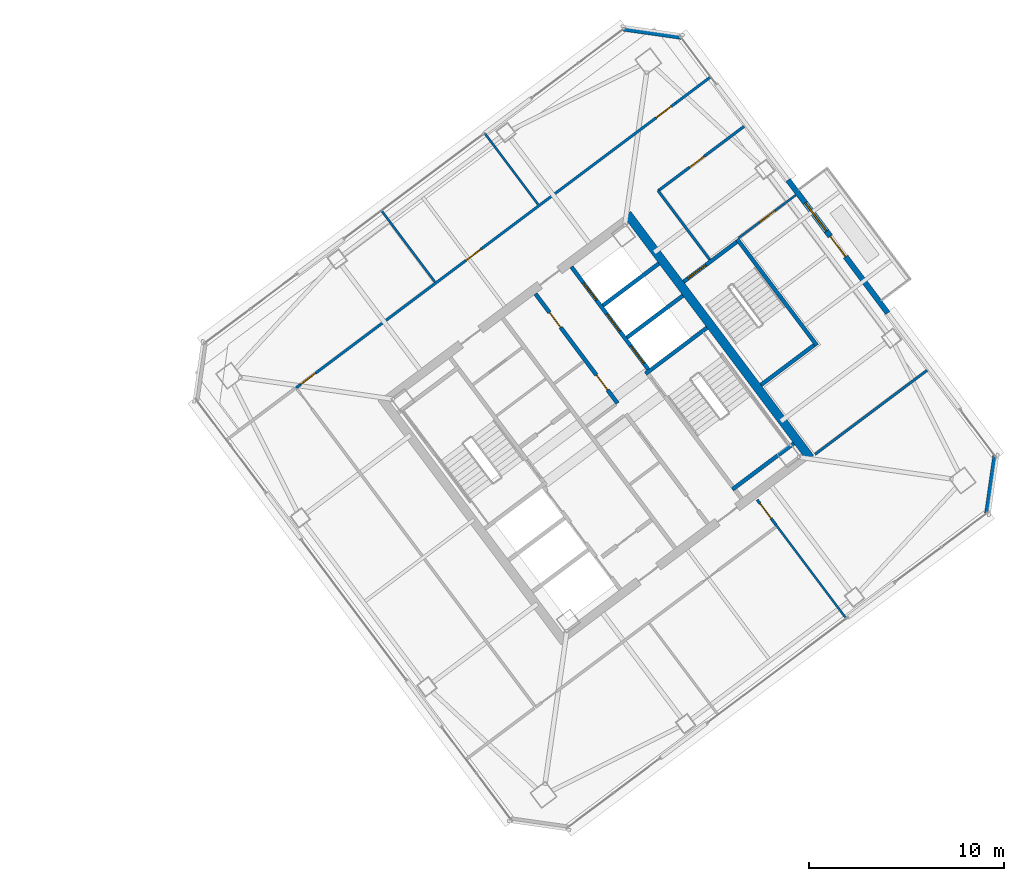
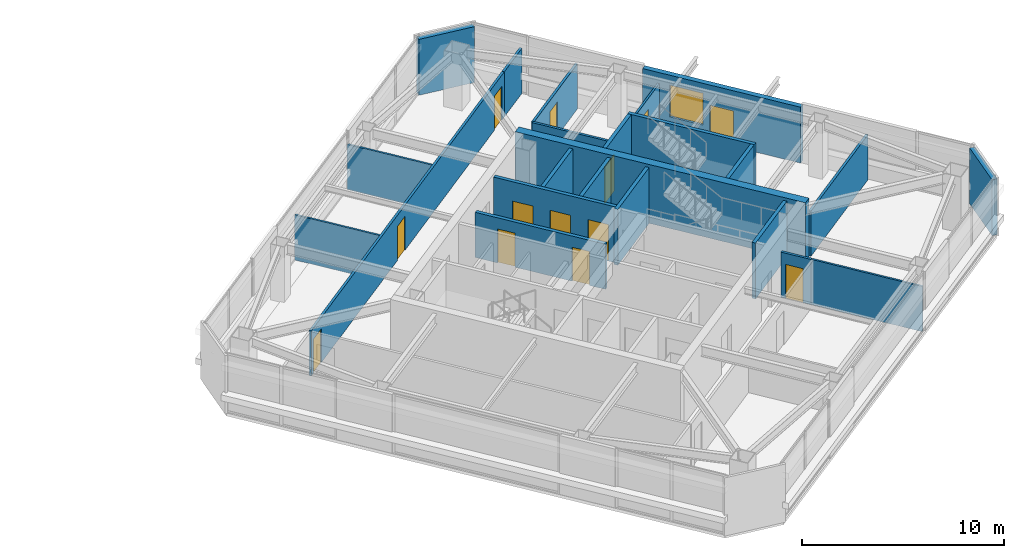
# One storey, part 32 of 39: 23 walls, 13 doors, 1 window, 14 openings.
"""IFC4 building model written with IfcOpenShell, lengths in metres."""

from ifc_helpers import new_model, si_unit, direction, frame, frame_2d, origin, place, context, subcontext, project, spatial, rectangle, extrude, material, layer, layer_set, type_object, element, fill, save


model = new_model("IFC4")

# Units and contexts
model_context = context("Model", 3, precision=1e-05, world=origin(), true_north=direction((0.0, 1.0)))
body_context = subcontext(model_context, "Body", "Model", "MODEL_VIEW")
ifc_project = project(units=[si_unit("LENGTHUNIT", "METRE"), si_unit("AREAUNIT", "SQUARE_METRE"), si_unit("VOLUMEUNIT", "CUBIC_METRE"), si_unit("PLANEANGLEUNIT", "RADIAN"), si_unit("MASSUNIT", "GRAM", prefix="KILO")], contexts=[model_context])

# Site, building, storey
site_placement = place(None, origin())
site = spatial("IfcSite", under=ifc_project, at=site_placement, CompositionType="ELEMENT")
building_placement = place(site_placement, origin())
building = spatial("IfcBuilding", under=site, at=building_placement, Name="Tashvorn Skyway Center", CompositionType="ELEMENT")
storey_placement = place(building_placement, frame((0.0, 0.0, 214.85009765625)))
storey = spatial("IfcBuildingStorey", under=building, at=storey_placement, Name="L58", CompositionType="ELEMENT", Elevation=214.85009765625)

# Wall
ifc_material_1 = material(Name="Concrete C50/60", Category="concrete")
ifc_layer_1 = layer(ifc_material_1, 0.449951171875)
ifc_layer_set_1 = layer_set([ifc_layer_1], Name="Concrete C50/60")
wall_type_1 = type_object("IfcWallType", Name="WALL-CORE-450", PredefinedType="SHEAR", material=ifc_layer_set_1)
wall_1_placement = place(storey_placement, frame((115.60400390625, 42.952880859375, 0.0), z_axis=(0.0, 0.0, 1.0), x_axis=(0.600005007985, -0.799996243986, 0.0)))
element("IfcWall", 1, at=wall_1_placement, inside=storey, type_object=wall_type_1, Name="Tower 2 L58 East Core Shear Wall", PredefinedType="SHEAR", context=body_context, shape_type="SweptSolid", body=[
    extrude(rectangle(XDim=15.60009765625, YDim=0.449951171875, at=frame_2d((7.800048828125, 0.0))), origin(), (0.0, 0.0, 1.0), 3.5498046875),
])

# Wall, openings, door, window
ifc_material_2 = material(Name="Precast concrete C40/50", Category="concrete")
ifc_layer_2 = layer(ifc_material_2, 0.280029296875)
ifc_layer_set_2 = layer_set([ifc_layer_2], Name="Precast concrete C40/50")
wall_type_2 = type_object("IfcWallType", Name="WALL-EXT-280", PredefinedType="SOLIDWALL", material=ifc_layer_set_2)
wall_2_placement = place(storey_placement, frame((123.833984375, 44.68798828125, 0.0), z_axis=(0.0, 0.0, 1.0), x_axis=(0.600004595526, -0.799996553335, 0.0)))
wall_2 = element("IfcWall", 2, at=wall_2_placement, inside=storey, type_object=wall_type_2, Name="Tower 2 L58 East Terrace Portal Wall", PredefinedType="SOLIDWALL", context=body_context, shape_type="SweptSolid", body=[
    extrude(rectangle(XDim=8.5, YDim=0.280029296875, at=frame_2d((4.25, 0.0))), origin(), (0.0, 0.0, 1.0), 3.369873046875),
])
opening_1_placement = place(wall_2_placement, frame((3.60009765625, 0.0, 0.0)))
opening_1 = element("IfcOpeningElement", 3, at=opening_1_placement, cuts=wall_2, Name="Opening D-TER-1300", PredefinedType="OPENING", context=body_context, shape_type="SweptSolid", body=[
    extrude(rectangle(XDim=1.300048828125, YDim=2.14990234375, at=frame_2d((0.64990234375, 1.074951171875))), frame((0.0, 0.14990234375, 0.0), z_axis=(0.0, -1.0, 0.0), x_axis=(1.0, 0.0, 0.0)), (0.0, 0.0, 1.0), 0.300048828125),
])
opening_2_placement = place(wall_2_placement, frame((1.4599609375, 0.0, 0.85009765625)))
opening_2 = element("IfcOpeningElement", 4, at=opening_2_placement, cuts=wall_2, Name="Opening WIN-1800", PredefinedType="OPENING", context=body_context, shape_type="SweptSolid", body=[
    extrude(rectangle(XDim=1.800048828125, YDim=1.919921875, at=frame_2d((0.89990234375, 0.9599609375))), frame((0.0, 0.14990234375, 0.0), z_axis=(0.0, -1.0, 0.0), x_axis=(1.0, 0.0, 0.0)), (0.0, 0.0, 1.0), 0.300048828125),
])
ifc_material_3 = material(Name="Thermally broken bronze-anodized aluminium 6063-T6", Category="aluminium")
door_type_1 = type_object("IfcDoorType", Name="DOOR-TERR-1300", OperationType="NOTDEFINED", PredefinedType="DOOR", material=ifc_material_3)
door_1_placement = place(opening_1_placement, origin())
door_1 = element("IfcDoor", 5, at=door_1_placement, inside=storey, type_object=door_type_1, Name="Tower 2 L58 Terrace Access Door", OperationType="SINGLE_SWING_LEFT", OverallHeight=2.14990234375, OverallWidth=1.300048828125, PredefinedType="DOOR", context=body_context, shape_type="SweptSolid", body=[
    extrude(rectangle(XDim=1.300048828125, YDim=2.14990234375, at=frame_2d((0.64990234375, 1.074951171875))), frame((0.0, 0.02490234375, 0.0), z_axis=(0.0, -1.0, 0.0), x_axis=(1.0, 0.0, 0.0)), (0.0, 0.0, 1.0), 0.050048828125),
])
fill(opening_1, door_1)
ifc_material_4 = material(Name="Low-E solar-control double insulating safety glass", Category="glass")
window_type = type_object("IfcWindowType", Name="WIN-TERR-1800", PartitioningType="SINGLE_PANEL", PredefinedType="WINDOW", material=ifc_material_4)
window_placement = place(opening_2_placement, origin())
window = element("IfcWindow", 6, at=window_placement, inside=storey, type_object=window_type, Name="Tower 2 L58 Terrace Window", OverallHeight=1.919921875, OverallWidth=1.800048828125, PartitioningType="SINGLE_PANEL", PredefinedType="WINDOW", context=body_context, shape_type="SweptSolid", body=[
    extrude(rectangle(XDim=1.800048828125, YDim=1.919921875, at=frame_2d((0.89990234375, 0.9599609375))), frame((0.0, 0.030029296875, 0.0), z_axis=(0.0, -1.0, 0.0), x_axis=(1.0, 0.0, 0.0)), (0.0, 0.0, 1.0), 0.06005859375),
])
fill(opening_2, window)

# Walls
for number, where, z_axis, x_axis, name in (
    (7, (115.419921875, 52.43994140625, 0.0), (0.0, 0.0, 1.0), (0.989954425158, -0.14138683146, 0.0), "Tower 2 L58 NE Precast Chamfer Wall"),
    (8, (134.43994140625, 30.580078125, 0.0), (0.0, 0.0, 1.0), (-0.14138683146, -0.989954425158, 0.0), "Tower 2 L58 SE Precast Chamfer Wall"),
):
    element("IfcWall", number, at=place(storey_placement, frame(where, z_axis=z_axis, x_axis=x_axis)), inside=storey, type_object=wall_type_2, Name=name, PredefinedType="SOLIDWALL", context=body_context, shape_type="SweptSolid", body=[
        extrude(rectangle(XDim=2.969970703125, YDim=0.280029296875, at=frame_2d((1.48486328125, 0.0))), origin(), (0.0, 0.0, 1.0), 3.369873046875),
    ])
ifc_material_5 = material(Name="Gypsum board on cold-formed steel stud framing", Category="steel")
ifc_layer_3 = layer(ifc_material_5, 0.110107421875)
ifc_layer_set_3 = layer_set([ifc_layer_3], Name="Gypsum board on cold-formed steel stud framing")
wall_type_3 = type_object("IfcWallType", Name="WALL-PART-110", PredefinedType="PARTITIONING", material=ifc_layer_set_3)
wall_3_placement = place(storey_placement, frame((105.761962890625, 39.48388671875, 0.0), z_axis=(0.0, 0.0, 1.0), x_axis=(-0.599982829901, 0.800012877287, 0.0)))
element("IfcWall", 9, at=wall_3_placement, inside=storey, type_object=wall_type_3, Name="Tower 2 L58 North Suite Partition 1", PredefinedType="PARTITIONING", context=body_context, shape_type="SweptSolid", body=[
    extrude(rectangle(XDim=4.550048828125, YDim=0.110107421875, at=frame_2d((2.27490234375, 0.0))), origin(), (0.0, 0.0, 1.0), 2.722900390625),
])
wall_4_placement = place(storey_placement, frame((111.0419921875, 43.444091796875, 0.0), z_axis=(0.0, 0.0, 1.0), x_axis=(-0.600008585315, 0.799993560942, 0.0)))
element("IfcWall", 10, at=wall_4_placement, inside=storey, type_object=wall_type_3, Name="Tower 2 L58 North Suite Partition 2", PredefinedType="PARTITIONING", context=body_context, shape_type="SweptSolid", body=[
    extrude(rectangle(XDim=4.5498046875, YDim=0.110107421875, at=frame_2d((2.27490234375, 0.0))), origin(), (0.0, 0.0, 1.0), 2.722900390625),
])
wall_5_placement = place(storey_placement, frame((126.80810546875, 22.256103515625, 0.0), z_axis=(0.0, 0.0, 1.0), x_axis=(-0.6, 0.8, 0.0)))
element("IfcWall", 11, at=wall_5_placement, inside=storey, type_object=wall_type_3, Name="Tower 2 L58 South-East Suite Wall", PredefinedType="PARTITIONING", context=body_context, shape_type="SweptSolid", body=[
    extrude(rectangle(XDim=5.989990234375, YDim=0.110107421875, at=frame_2d((2.9951171875, 0.0))), origin(), (0.0, 0.0, 1.0), 2.722900390625),
])

# Wall, opening, door
wall_6_placement = place(storey_placement, frame((124.22412109375, 43.91796875, 0.0), z_axis=(0.0, 0.0, 1.0), x_axis=(-0.800024078335, -0.599967894211, 0.0)))
wall_6 = element("IfcWall", 12, at=wall_6_placement, inside=storey, type_object=wall_type_3, Name="Tower 2 L58 East Suite Partition 1", PredefinedType="PARTITIONING", context=body_context, shape_type="SweptSolid", body=[
    extrude(rectangle(XDim=3.650146484375, YDim=0.110107421875, at=frame_2d((1.8251953125, 0.0))), origin(), (0.0, 0.0, 1.0), 2.722900390625),
])
opening_3_placement = place(wall_6_placement, frame((1.35009765625, 0.0, 0.0)))
opening_3 = element("IfcOpeningElement", 13, at=opening_3_placement, cuts=wall_6, Name="Opening D-INT-950", PredefinedType="OPENING", context=body_context, shape_type="SweptSolid", body=[
    extrude(rectangle(XDim=0.949951171875, YDim=2.050048828125, at=frame_2d((0.47509765625, 1.02490234375))), frame((0.0, 0.06494140625, 0.0), z_axis=(0.0, -1.0, 0.0), x_axis=(1.0, 0.0, 0.0)), (0.0, 0.0, 1.0), 0.130126953125),
])
ifc_material_6 = material(Name="Solid-core architectural oak veneer door")
door_type_2 = type_object("IfcDoorType", Name="DOOR-INT-950", OperationType="NOTDEFINED", PredefinedType="DOOR", material=ifc_material_6)
door_2_placement = place(opening_3_placement, origin())
door_2 = element("IfcDoor", 14, at=door_2_placement, inside=storey, type_object=door_type_2, Name="Tower 2 L58 Catering Pantry Door", OperationType="SINGLE_SWING_LEFT", OverallHeight=2.050048828125, OverallWidth=0.949951171875, PredefinedType="DOOR", context=body_context, shape_type="SweptSolid", body=[
    extrude(rectangle(XDim=0.949951171875, YDim=2.050048828125, at=frame_2d((0.47509765625, 1.02490234375))), frame((0.0, 0.02490234375, 0.0), z_axis=(0.0, -1.0, 0.0), x_axis=(1.0, 0.0, 0.0)), (0.0, 0.0, 1.0), 0.050048828125),
])
fill(opening_3, door_2)

# Wall
ifc_layer_4 = layer(ifc_material_5, 0.135009765625)
ifc_layer_set_4 = layer_set([ifc_layer_4], Name="Gypsum board on cold-formed steel stud framing")
wall_type_4 = type_object("IfcWallType", Name="WALL-PART-135", PredefinedType="PARTITIONING", material=ifc_layer_set_4)
wall_7_placement = place(storey_placement, frame((119.823974609375, 40.617919921875, 0.0), z_axis=(0.0, 0.0, 1.0), x_axis=(-0.599982243973, 0.800013316712, 0.0)))
element("IfcWall", 15, at=wall_7_placement, inside=storey, type_object=wall_type_4, Name="Tower 2 L58 Stair 3 Access Corridor Wall", PredefinedType="PARTITIONING", context=body_context, shape_type="SweptSolid", body=[
    extrude(rectangle(XDim=4.39990234375, YDim=0.135009765625, at=frame_2d((2.199951171875, 0.0))), origin(), (0.0, 0.0, 1.0), 2.722900390625),
])

# Wall, openings, doors
wall_8_placement = place(storey_placement, frame((98.666015625, 34.06201171875, 0.0), z_axis=(0.0, 0.0, 1.0), x_axis=(0.800003619866, 0.599995173482, 0.0)))
wall_8 = element("IfcWall", 16, at=wall_8_placement, inside=storey, type_object=wall_type_4, Name="Tower 2 L58 North Suite Wall", PredefinedType="PARTITIONING", context=body_context, shape_type="SweptSolid", body=[
    extrude(rectangle(XDim=24.280029296875, YDim=0.135009765625, at=frame_2d((12.14013671875, 0.0))), origin(), (0.0, 0.0, 1.0), 2.722900390625),
])
opening_4_placement = place(wall_8_placement, frame((0.300048828125, 0.0, 0.0)))
opening_4 = element("IfcOpeningElement", 17, at=opening_4_placement, cuts=wall_8, Name="Opening D-INT-950", PredefinedType="OPENING", context=body_context, shape_type="SweptSolid", body=[
    extrude(rectangle(XDim=0.949951171875, YDim=2.050048828125, at=frame_2d((0.47509765625, 1.02490234375))), frame((0.0, 0.077392578125, 0.0), z_axis=(0.0, -1.0, 0.0), x_axis=(1.0, 0.0, 0.0)), (0.0, 0.0, 1.0), 0.155029296875),
])
opening_5_placement = place(wall_8_placement, frame((10.854248046875, 0.0, 0.0)))
opening_5 = element("IfcOpeningElement", 18, at=opening_5_placement, cuts=wall_8, Name="Opening D-INT-950", PredefinedType="OPENING", context=body_context, shape_type="SweptSolid", body=[
    extrude(rectangle(XDim=0.949951171875, YDim=2.050048828125, at=frame_2d((0.47509765625, 1.02490234375))), frame((0.0, 0.077392578125, 0.0), z_axis=(0.0, -1.0, 0.0), x_axis=(1.0, 0.0, 0.0)), (0.0, 0.0, 1.0), 0.155029296875),
])
opening_6_placement = place(wall_8_placement, frame((23.030029296875, 0.0, 0.0)))
opening_6 = element("IfcOpeningElement", 19, at=opening_6_placement, cuts=wall_8, Name="Opening D-INT-950", PredefinedType="OPENING", context=body_context, shape_type="SweptSolid", body=[
    extrude(rectangle(XDim=0.949951171875, YDim=2.050048828125, at=frame_2d((0.47509765625, 1.02490234375))), frame((0.0, 0.077392578125, 0.0), z_axis=(0.0, -1.0, 0.0), x_axis=(1.0, 0.0, 0.0)), (0.0, 0.0, 1.0), 0.155029296875),
])
door_3_placement = place(opening_4_placement, origin())
door_3 = element("IfcDoor", 20, at=door_3_placement, inside=storey, type_object=door_type_2, Name="Tower 2 L58 Conference Room Door", OperationType="SINGLE_SWING_RIGHT", OverallHeight=2.050048828125, OverallWidth=0.949951171875, PredefinedType="DOOR", context=body_context, shape_type="SweptSolid", body=[
    extrude(rectangle(XDim=0.949951171875, YDim=2.050048828125, at=frame_2d((0.47509765625, 1.02490234375))), frame((0.0, 0.02490234375, 0.0), z_axis=(0.0, -1.0, 0.0), x_axis=(1.0, 0.0, 0.0)), (0.0, 0.0, 1.0), 0.050048828125),
])
fill(opening_4, door_3)
door_4_placement = place(opening_5_placement, origin())
door_4 = element("IfcDoor", 21, at=door_4_placement, inside=storey, type_object=door_type_2, Name="Tower 2 L58 Conference Room Door", OperationType="SINGLE_SWING_LEFT", OverallHeight=2.050048828125, OverallWidth=0.949951171875, PredefinedType="DOOR", context=body_context, shape_type="SweptSolid", body=[
    extrude(rectangle(XDim=0.949951171875, YDim=2.050048828125, at=frame_2d((0.47509765625, 1.02490234375))), frame((0.0, 0.02490234375, 0.0), z_axis=(0.0, -1.0, 0.0), x_axis=(1.0, 0.0, 0.0)), (0.0, 0.0, 1.0), 0.050048828125),
])
fill(opening_5, door_4)
door_5_placement = place(opening_6_placement, origin())
door_5 = element("IfcDoor", 22, at=door_5_placement, inside=storey, type_object=door_type_2, Name="Tower 2 L58 Collaborative Studio Door", OperationType="SINGLE_SWING_RIGHT", OverallHeight=2.050048828125, OverallWidth=0.949951171875, PredefinedType="DOOR", context=body_context, shape_type="SweptSolid", body=[
    extrude(rectangle(XDim=0.949951171875, YDim=2.050048828125, at=frame_2d((0.47509765625, 1.02490234375))), frame((0.0, 0.02490234375, 0.0), z_axis=(0.0, -1.0, 0.0), x_axis=(1.0, 0.0, 0.0)), (0.0, 0.0, 1.0), 0.050048828125),
])
fill(opening_6, door_5)

# Wall
wall_9_placement = place(storey_placement, frame((118.090087890625, 48.6298828125, 0.0), z_axis=(0.0, 0.0, 1.0), x_axis=(0.799960585956, 0.600052548463, 0.0)))
element("IfcWall", 23, at=wall_9_placement, inside=storey, type_object=wall_type_4, Name="Tower 2 L58 North-East Suite South Wall", PredefinedType="PARTITIONING", context=body_context, shape_type="SweptSolid", body=[
    extrude(rectangle(XDim=2.22998046875, YDim=0.135009765625, at=frame_2d((1.114990234375, 0.0))), origin(), (0.0, 0.0, 1.0), 2.722900390625),
])

# Wall, opening, door
wall_10_placement = place(storey_placement, frame((122.248046875, 28.3359375, 0.0), z_axis=(0.0, 0.0, 1.0), x_axis=(0.600072788757, -0.799945403258, 0.0)))
wall_10 = element("IfcWall", 24, at=wall_10_placement, inside=storey, type_object=wall_type_4, Name="Tower 2 L58 South Gallery End Wall", PredefinedType="PARTITIONING", context=body_context, shape_type="SweptSolid", body=[
    extrude(rectangle(XDim=1.60986328125, YDim=0.135009765625, at=frame_2d((0.804931640625, 0.0))), origin(), (0.0, 0.0, 1.0), 2.722900390625),
])
opening_7_placement = place(wall_10_placement, frame((0.25, 0.0, 0.0)))
opening_7 = element("IfcOpeningElement", 25, at=opening_7_placement, cuts=wall_10, Name="Opening D-INT-950", PredefinedType="OPENING", context=body_context, shape_type="SweptSolid", body=[
    extrude(rectangle(XDim=0.949951171875, YDim=2.050048828125, at=frame_2d((0.47509765625, 1.02490234375))), frame((0.0, 0.077392578125, 0.0), z_axis=(0.0, -1.0, 0.0), x_axis=(1.0, 0.0, 0.0)), (0.0, 0.0, 1.0), 0.155029296875),
])
door_6_placement = place(opening_7_placement, origin())
door_6 = element("IfcDoor", 26, at=door_6_placement, inside=storey, type_object=door_type_2, Name="Tower 2 L58 Gallery Showroom Door", OperationType="SINGLE_SWING_LEFT", OverallHeight=2.050048828125, OverallWidth=0.949951171875, PredefinedType="DOOR", context=body_context, shape_type="SweptSolid", body=[
    extrude(rectangle(XDim=0.949951171875, YDim=2.050048828125, at=frame_2d((0.47509765625, 1.02490234375))), frame((0.0, 0.02490234375, 0.0), z_axis=(0.0, -1.0, 0.0), x_axis=(1.0, 0.0, 0.0)), (0.0, 0.0, 1.0), 0.050048828125),
])
fill(opening_7, door_6)

wall_11_placement = place(storey_placement, frame((121.583984375, 47.43798828125, 0.0), z_axis=(0.0, 0.0, 1.0), x_axis=(-0.79998934637, -0.600014204577, 0.0)))
wall_11 = element("IfcWall", 27, at=wall_11_placement, inside=storey, type_object=wall_type_4, Name="Tower 2 L58 East Suite North Wall", PredefinedType="PARTITIONING", context=body_context, shape_type="SweptSolid", body=[
    extrude(rectangle(XDim=5.5, YDim=0.135009765625, at=frame_2d((2.75, 0.0))), origin(), (0.0, 0.0, 1.0), 2.722900390625),
])
opening_8_placement = place(wall_11_placement, frame((2.550048828125, 0.0, 0.0)))
opening_8 = element("IfcOpeningElement", 28, at=opening_8_placement, cuts=wall_11, Name="Opening D-INT-950", PredefinedType="OPENING", context=body_context, shape_type="SweptSolid", body=[
    extrude(rectangle(XDim=0.949951171875, YDim=2.050048828125, at=frame_2d((0.47509765625, 1.02490234375))), frame((0.0, 0.077392578125, 0.0), z_axis=(0.0, -1.0, 0.0), x_axis=(1.0, 0.0, 0.0)), (0.0, 0.0, 1.0), 0.155029296875),
])
door_7_placement = place(opening_8_placement, origin())
door_7 = element("IfcDoor", 29, at=door_7_placement, inside=storey, type_object=door_type_2, Name="Tower 2 L58 Gallery Showroom Door", OperationType="SINGLE_SWING_RIGHT", OverallHeight=2.050048828125, OverallWidth=0.949951171875, PredefinedType="DOOR", context=body_context, shape_type="SweptSolid", body=[
    extrude(rectangle(XDim=0.949951171875, YDim=2.050048828125, at=frame_2d((0.47509765625, 1.02490234375))), frame((0.0, 0.02490234375, 0.0), z_axis=(0.0, -1.0, 0.0), x_axis=(1.0, 0.0, 0.0)), (0.0, 0.0, 1.0), 0.050048828125),
])
fill(opening_8, door_7)

# Walls
wall_12_placement = place(storey_placement, frame((125.2080078125, 30.656005859375, 0.0), z_axis=(0.0, 0.0, 1.0), x_axis=(0.800004085978, 0.599994551991, 0.0)))
element("IfcWall", 30, at=wall_12_placement, inside=storey, type_object=wall_type_4, Name="Tower 2 L58 East Suite South Wall", PredefinedType="PARTITIONING", context=body_context, shape_type="SweptSolid", body=[
    extrude(rectangle(XDim=7.170166015625, YDim=0.135009765625, at=frame_2d((3.5849609375, 0.0))), origin(), (0.0, 0.0, 1.0), 2.722900390625),
])
ifc_material_7 = material(Name="Concrete C40/50", Category="concrete")
ifc_layer_5 = layer(ifc_material_7, 0.199951171875)
ifc_layer_set_5 = layer_set([ifc_layer_5], Name="Concrete C40/50")
wall_type_5 = type_object("IfcWallType", Name="WALL-SHAFT-200", PredefinedType="SOLIDWALL", material=ifc_layer_set_5)
for number, where, z_axis, x_axis, name in (
    (31, (115.590087890625, 36.6298828125, 0.0), (0.0, 0.0, 1.0), (0.799975449747, 0.600032732276, 0.0), "Tower 2 L58 High-Rise Shaft Divider"),
    (32, (114.360107421875, 38.27001953125, 0.0), (0.0, 0.0, 1.0), (0.800008183455, 0.599989088572, 0.0), "Tower 2 L58 High-Rise Shaft Divider"),
):
    element("IfcWall", number, at=place(storey_placement, frame(where, z_axis=z_axis, x_axis=x_axis)), inside=storey, type_object=wall_type_5, Name=name, PredefinedType="SOLIDWALL", context=body_context, shape_type="SweptSolid", body=[
        extrude(rectangle(XDim=3.580078125, YDim=0.199951171875, at=frame_2d((1.7900390625, 0.0))), origin(), (0.0, 0.0, 1.0), 3.369873046875),
    ])

# Wall, openings, doors
wall_13_placement = place(storey_placement, frame((115.110107421875, 33.27001953125, 0.0), z_axis=(0.0, 0.0, 1.0), x_axis=(-0.600011160345, 0.79999162962, 0.0)))
wall_13 = element("IfcWall", 33, at=wall_13_placement, inside=storey, type_object=wall_type_5, Name="Tower 2 L58 Mid-Rise Core Wall", PredefinedType="SOLIDWALL", context=body_context, shape_type="SweptSolid", body=[
    extrude(rectangle(XDim=7.000244140625, YDim=0.199951171875, at=frame_2d((3.5, 0.0))), origin(), (0.0, 0.0, 1.0), 2.722900390625),
])
opening_9_placement = place(wall_13_placement, frame((0.85009765625, 0.0, 0.0)))
opening_9 = element("IfcOpeningElement", 34, at=opening_9_placement, cuts=wall_13, Name="Opening D-RT-950", PredefinedType="OPENING", context=body_context, shape_type="SweptSolid", body=[
    extrude(rectangle(XDim=0.949951171875, YDim=2.050048828125, at=frame_2d((0.47509765625, 1.02490234375))), frame((0.0, 0.10986328125, 0.0), z_axis=(0.0, -1.0, 0.0), x_axis=(1.0, 0.0, 0.0)), (0.0, 0.0, 1.0), 0.219970703125),
])
opening_10_placement = place(wall_13_placement, frame((4.85009765625, 0.0, 0.0)))
opening_10 = element("IfcOpeningElement", 35, at=opening_10_placement, cuts=wall_13, Name="Opening D-RT-950", PredefinedType="OPENING", context=body_context, shape_type="SweptSolid", body=[
    extrude(rectangle(XDim=0.949951171875, YDim=2.050048828125, at=frame_2d((0.47509765625, 1.02490234375))), frame((0.0, 0.10986328125, 0.0), z_axis=(0.0, -1.0, 0.0), x_axis=(1.0, 0.0, 0.0)), (0.0, 0.0, 1.0), 0.219970703125),
])
ifc_material_8 = material(Name="Hollow galvanized steel fire door assembly", Category="steel")
door_type_3 = type_object("IfcDoorType", Name="DOOR-RATED-950", OperationType="NOTDEFINED", PredefinedType="DOOR", material=ifc_material_8)
door_8_placement = place(opening_9_placement, origin())
door_8 = element("IfcDoor", 36, at=door_8_placement, inside=storey, type_object=door_type_3, Name="Tower 2 L58 Core IT Room Door", OperationType="SINGLE_SWING_RIGHT", OverallHeight=2.050048828125, OverallWidth=0.949951171875, PredefinedType="DOOR", context=body_context, shape_type="SweptSolid", body=[
    extrude(rectangle(XDim=0.949951171875, YDim=2.050048828125, at=frame_2d((0.47509765625, 1.02490234375))), frame((0.0, 0.02490234375, 0.0), z_axis=(0.0, -1.0, 0.0), x_axis=(1.0, 0.0, 0.0)), (0.0, 0.0, 1.0), 0.050048828125),
])
fill(opening_9, door_8)
door_9_placement = place(opening_10_placement, origin())
door_9 = element("IfcDoor", 37, at=door_9_placement, inside=storey, type_object=door_type_3, Name="Tower 2 L58 Core Catering Pantry Door", OperationType="SINGLE_SWING_LEFT", OverallHeight=2.050048828125, OverallWidth=0.949951171875, PredefinedType="DOOR", context=body_context, shape_type="SweptSolid", body=[
    extrude(rectangle(XDim=0.949951171875, YDim=2.050048828125, at=frame_2d((0.47509765625, 1.02490234375))), frame((0.0, 0.02490234375, 0.0), z_axis=(0.0, -1.0, 0.0), x_axis=(1.0, 0.0, 0.0)), (0.0, 0.0, 1.0), 0.050048828125),
])
fill(opening_10, door_9)

# Walls
ifc_layer_6 = layer(ifc_material_7, 0.199951171875)
ifc_layer_set_6 = layer_set([ifc_layer_6], Name="Concrete C40/50")
wall_type_6 = type_object("IfcWallType", Name="WALL-STSHF-200", PredefinedType="SHEAR", material=ifc_layer_set_6)
for number, where, z_axis, x_axis, name in (
    (38, (116.5400390625, 34.780029296875, 0.0), (0.0, 0.0, 1.0), (0.800014909178, 0.599980120581, 0.0), "Tower 2 L58 Stair 2 North Wall"),
    (39, (120.97998046875, 28.860107421875, 0.0), (0.0, 0.0, 1.0), (0.800014909178, 0.599980120581, 0.0), "Tower 2 L58 Stair 2 South Wall"),
):
    element("IfcWall", number, at=place(storey_placement, frame(where, z_axis=z_axis, x_axis=x_axis)), inside=storey, type_object=wall_type_6, Name=name, PredefinedType="SHEAR", context=body_context, shape_type="SweptSolid", body=[
        extrude(rectangle(XDim=3.929931640625, YDim=0.199951171875, at=frame_2d((1.96484375, 0.0))), origin(), (0.0, 0.0, 1.0), 3.369873046875),
    ])

# Wall, openings, doors
wall_14_placement = place(storey_placement, frame((112.75, 40.25, 0.0), z_axis=(0.0, 0.0, 1.0), x_axis=(0.599994036198, -0.800004472816, 0.0)))
wall_14 = element("IfcWall", 40, at=wall_14_placement, inside=storey, type_object=wall_type_6, Name="Tower 2 L58 High-Rise Lift Shaft Front Wall", PredefinedType="SHEAR", context=body_context, shape_type="SweptSolid", body=[
    extrude(rectangle(XDim=6.550048828125, YDim=0.199951171875, at=frame_2d((3.27490234375, 0.0))), origin(), (0.0, 0.0, 1.0), 3.369873046875),
])
opening_11_placement = place(wall_14_placement, frame((5.074951171875, 0.0, 0.0)))
opening_11 = element("IfcOpeningElement", 41, at=opening_11_placement, cuts=wall_14, Name="Opening LD-HR-T2-1-L58", PredefinedType="OPENING", context=body_context, shape_type="SweptSolid", body=[
    extrude(rectangle(XDim=1.10009765625, YDim=2.199951171875, at=frame_2d((0.550048828125, 1.10009765625))), frame((0.0, 0.10986328125, 0.0), z_axis=(0.0, -1.0, 0.0), x_axis=(1.0, 0.0, 0.0)), (0.0, 0.0, 1.0), 0.219970703125),
])
opening_12_placement = place(wall_14_placement, frame((3.02490234375, 0.0, 0.0)))
opening_12 = element("IfcOpeningElement", 42, at=opening_12_placement, cuts=wall_14, Name="Opening LD-HR-T2-2-L58", PredefinedType="OPENING", context=body_context, shape_type="SweptSolid", body=[
    extrude(rectangle(XDim=1.10009765625, YDim=2.199951171875, at=frame_2d((0.550048828125, 1.10009765625))), frame((0.0, 0.10986328125, 0.0), z_axis=(0.0, -1.0, 0.0), x_axis=(1.0, 0.0, 0.0)), (0.0, 0.0, 1.0), 0.219970703125),
])
opening_13_placement = place(wall_14_placement, frame((1.02490234375, 0.0, 0.0)))
opening_13 = element("IfcOpeningElement", 43, at=opening_13_placement, cuts=wall_14, Name="Opening LD-HR-T2-3-L58", PredefinedType="OPENING", context=body_context, shape_type="SweptSolid", body=[
    extrude(rectangle(XDim=1.10009765625, YDim=2.199951171875, at=frame_2d((0.550048828125, 1.10009765625))), frame((0.0, 0.10986328125, 0.0), z_axis=(0.0, -1.0, 0.0), x_axis=(1.0, 0.0, 0.0)), (0.0, 0.0, 1.0), 0.219970703125),
])
ifc_material_9 = material(Name="Stainless steel landing door", Category="steel")
door_type_4 = type_object("IfcDoorType", Name="DOOR-LIFT-1100", OperationType="SLIDING_TO_LEFT", PredefinedType="DOOR", material=ifc_material_9)
door_10_placement = place(opening_11_placement, origin())
door_10 = element("IfcDoor", 44, at=door_10_placement, inside=storey, type_object=door_type_4, Name="Lift HR-T2-1 L58 Landing Door", OperationType="SLIDING_TO_LEFT", OverallHeight=2.199951171875, OverallWidth=1.10009765625, PredefinedType="DOOR", context=body_context, shape_type="SweptSolid", body=[
    extrude(rectangle(XDim=1.10009765625, YDim=2.199951171875, at=frame_2d((0.550048828125, 1.10009765625))), frame((0.0, 0.02490234375, 0.0), z_axis=(0.0, -1.0, 0.0), x_axis=(1.0, 0.0, 0.0)), (0.0, 0.0, 1.0), 0.050048828125),
])
fill(opening_11, door_10)
door_11_placement = place(opening_12_placement, origin())
door_11 = element("IfcDoor", 45, at=door_11_placement, inside=storey, type_object=door_type_4, Name="Lift HR-T2-2 L58 Landing Door", OperationType="SLIDING_TO_LEFT", OverallHeight=2.199951171875, OverallWidth=1.10009765625, PredefinedType="DOOR", context=body_context, shape_type="SweptSolid", body=[
    extrude(rectangle(XDim=1.10009765625, YDim=2.199951171875, at=frame_2d((0.550048828125, 1.10009765625))), frame((0.0, 0.02490234375, 0.0), z_axis=(0.0, -1.0, 0.0), x_axis=(1.0, 0.0, 0.0)), (0.0, 0.0, 1.0), 0.050048828125),
])
fill(opening_12, door_11)
door_12_placement = place(opening_13_placement, origin())
door_12 = element("IfcDoor", 46, at=door_12_placement, inside=storey, type_object=door_type_4, Name="Lift HR-T2-3 L58 Landing Door", OperationType="SLIDING_TO_LEFT", OverallHeight=2.199951171875, OverallWidth=1.10009765625, PredefinedType="DOOR", context=body_context, shape_type="SweptSolid", body=[
    extrude(rectangle(XDim=1.10009765625, YDim=2.199951171875, at=frame_2d((0.550048828125, 1.10009765625))), frame((0.0, 0.02490234375, 0.0), z_axis=(0.0, -1.0, 0.0), x_axis=(1.0, 0.0, 0.0)), (0.0, 0.0, 1.0), 0.050048828125),
])
fill(opening_13, door_12)

# Wall
wall_15_placement = place(storey_placement, frame((125.303955078125, 36.22802734375, 0.0), z_axis=(0.0, 0.0, 1.0), x_axis=(-0.59998851072, 0.800008616831, 0.0)))
element("IfcWall", 47, at=wall_15_placement, inside=storey, type_object=wall_type_6, Name="Tower 2 L58 Stair 3 Outer Wall", PredefinedType="SHEAR", context=body_context, shape_type="SweptSolid", body=[
    extrude(rectangle(XDim=6.7998046875, YDim=0.199951171875, at=frame_2d((3.39990234375, 0.0))), origin(), (0.0, 0.0, 1.0), 3.369873046875),
])

# Wall, opening, door
wall_16_placement = place(storey_placement, frame((121.2041015625, 41.528076171875, 0.0), z_axis=(0.0, 0.0, 1.0), x_axis=(-0.800017232136, -0.599977023131, 0.0)))
wall_16 = element("IfcWall", 48, at=wall_16_placement, inside=storey, type_object=wall_type_6, Name="Tower 2 L58 Stair 3 Enclosure Wall", PredefinedType="SHEAR", context=body_context, shape_type="SweptSolid", body=[
    extrude(rectangle(XDim=3.400146484375, YDim=0.199951171875, at=frame_2d((1.7001953125, 0.0))), origin(), (0.0, 0.0, 1.0), 3.369873046875),
])
opening_14_placement = place(wall_16_placement, frame((1.97509765625, 0.0, 0.0)))
opening_14 = element("IfcOpeningElement", 49, at=opening_14_placement, cuts=wall_16, Name="Opening D-ST-1150", PredefinedType="OPENING", context=body_context, shape_type="SweptSolid", body=[
    extrude(rectangle(XDim=1.14990234375, YDim=2.199951171875, at=frame_2d((0.574951171875, 1.10009765625))), frame((0.0, 0.10986328125, 0.0), z_axis=(0.0, -1.0, 0.0), x_axis=(1.0, 0.0, 0.0)), (0.0, 0.0, 1.0), 0.219970703125),
])
door_type_5 = type_object("IfcDoorType", Name="DOOR-STAIR-1150", OperationType="NOTDEFINED", PredefinedType="DOOR", material=ifc_material_8)
door_13_placement = place(opening_14_placement, origin())
door_13 = element("IfcDoor", 50, at=door_13_placement, inside=storey, type_object=door_type_5, Name="Tower 2 L58 Exit Stair 3 Door", OperationType="SINGLE_SWING_RIGHT", OverallHeight=2.199951171875, OverallWidth=1.14990234375, PredefinedType="DOOR", context=body_context, shape_type="SweptSolid", body=[
    extrude(rectangle(XDim=1.14990234375, YDim=2.199951171875, at=frame_2d((0.574951171875, 1.10009765625))), frame((0.0, 0.02490234375, 0.0), z_axis=(0.0, -1.0, 0.0), x_axis=(1.0, 0.0, 0.0)), (0.0, 0.0, 1.0), 0.050048828125),
])
fill(opening_14, door_13)

# Wall
wall_17_placement = place(storey_placement, frame((122.444091796875, 34.2080078125, 0.0), z_axis=(0.0, 0.0, 1.0), x_axis=(0.79999138319, 0.600011488909, 0.0)))
element("IfcWall", 51, at=wall_17_placement, inside=storey, type_object=wall_type_6, Name="Tower 2 L58 Stair 3 South Wall", PredefinedType="SHEAR", context=body_context, shape_type="SweptSolid", body=[
    extrude(rectangle(XDim=3.39990234375, YDim=0.199951171875, at=frame_2d((1.699951171875, 0.0))), origin(), (0.0, 0.0, 1.0), 3.369873046875),
])

save(model, "model.ifc")
